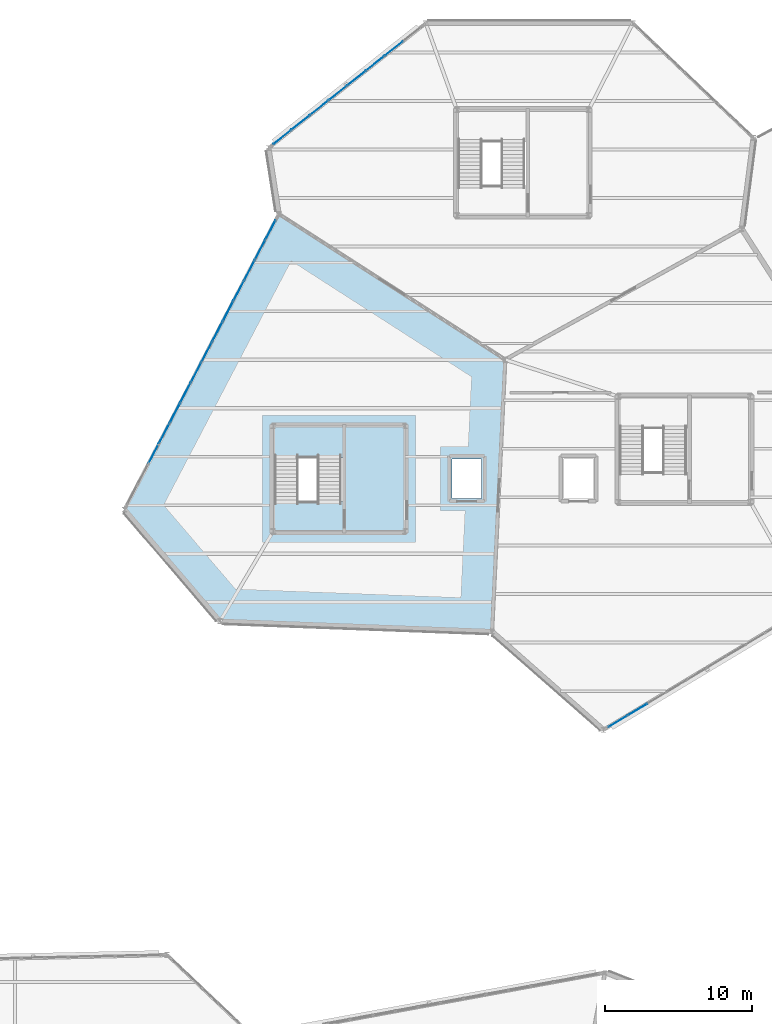
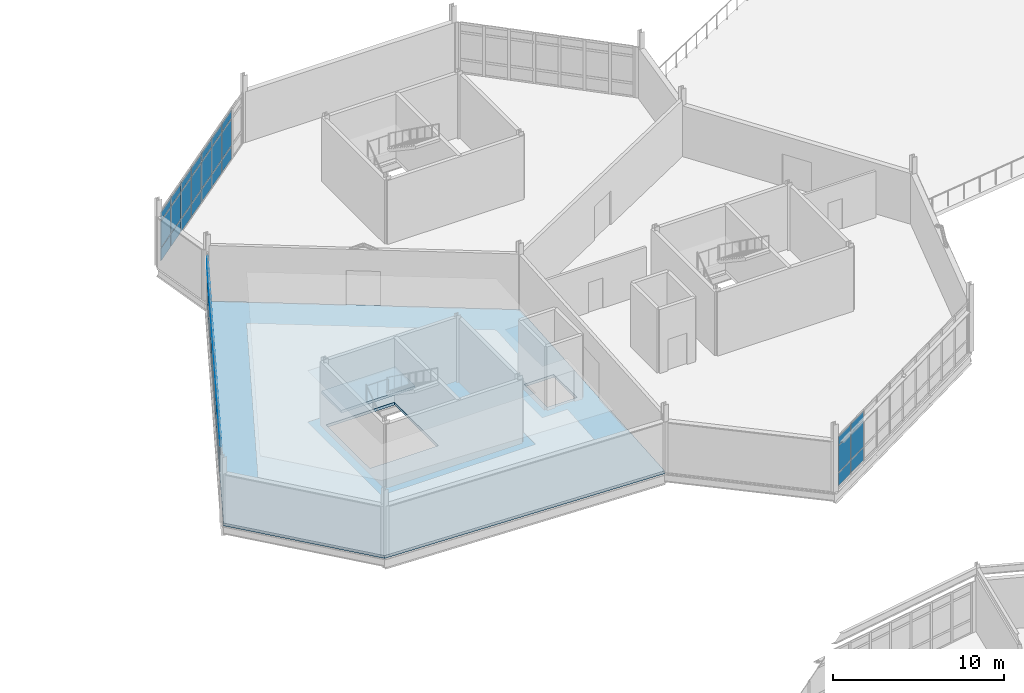
# One storey, part 52 of 76: 61 plates, 2 slabs, 4 elements without a shape of their own.
"""IFC4 building model written with IfcOpenShell, lengths in metres."""

from ifc_helpers import new_model, si_unit, direction, frame, origin, origin_2d, place, context, subcontext, project, spatial, polyline, rectangle, outline, extrude, material, layer, layer_set, type_object, element, aggregate, save


model = new_model("IFC4")

# Units and contexts
model_context = context("Model", 3, precision=1e-05, world=origin(), true_north=direction((0.0, 1.0)))
body_context = subcontext(model_context, "Body", "Model", "MODEL_VIEW")
ifc_project = project(units=[si_unit("LENGTHUNIT", "METRE"), si_unit("AREAUNIT", "SQUARE_METRE"), si_unit("VOLUMEUNIT", "CUBIC_METRE"), si_unit("PLANEANGLEUNIT", "RADIAN"), si_unit("MASSUNIT", "GRAM", prefix="KILO")], contexts=[model_context])

# Site, building, storey
site_placement = place(None, origin())
site = spatial("IfcSite", under=ifc_project, at=site_placement, CompositionType="ELEMENT")
building_placement = place(site_placement, origin())
building = spatial("IfcBuilding", under=site, at=building_placement, Name="Tameran Prism Museum", CompositionType="ELEMENT")
storey_placement = place(building_placement, frame((0.0, 0.0, 15.0)))
storey = spatial("IfcBuildingStorey", under=building, at=storey_placement, Name="L03", CompositionType="ELEMENT", Elevation=15.0)

# Curtain wall, plates
ifc_material_1 = material(Name="Anodised Aluminium 6063-T6 and Cyclone Solar Glass", Category="aluminium")
curtain_wall_type_1 = type_object("IfcCurtainWallType", Name="CW-FAC-1563x362", PredefinedType="USERDEFINED", material=ifc_material_1)
curtain_wall_1_placement = place(storey_placement, origin())
curtain_wall_1 = element("IfcCurtainWall", 1, at=curtain_wall_1_placement, inside=storey, type_object=curtain_wall_type_1, Name="Unitised Curtain Wall CW-131", ObjectType="UNITISED CURTAIN WALL", PredefinedType="USERDEFINED")
ifc_material_2 = material(Name="Low-E Laminated Solar Glass", Category="glass")
ifc_layer_1 = layer(ifc_material_2, 0.028076171875)
ifc_layer_set_1 = layer_set([ifc_layer_1])
plate_type_1 = type_object("IfcPlateType", Name="CW-PNL-G28", PredefinedType="CURTAIN_PANEL", material=ifc_layer_set_1)
plate_1_placement = place(storey_placement, frame((127.81005859375, 65.285888671875, 0.06494140625), z_axis=(0.0, 0.0, 1.0), x_axis=(-0.857492925713, -0.514495755426, 0.0)))
plate_1 = element("IfcPlate", 2, at=plate_1_placement, type_object=plate_type_1, Name="CW-131 panel 9.1", PredefinedType="CURTAIN_PANEL", context=body_context, shape_type="SweptSolid", body=[
    extrude(rectangle(XDim=1.497802734375, YDim=0.028076171875, at=origin_2d()), origin(), (0.0, 0.0, 1.0), 0.902587890625),
])
plate_2_placement = place(storey_placement, frame((127.81005859375, 65.285888671875, 1.032470703125), z_axis=(0.0, 0.0, 1.0), x_axis=(-0.857492925713, -0.514495755426, 0.0)))
plate_2 = element("IfcPlate", 3, at=plate_2_placement, type_object=plate_type_1, Name="CW-131 panel 9.2", PredefinedType="CURTAIN_PANEL", context=body_context, shape_type="SweptSolid", body=[
    extrude(rectangle(XDim=1.497802734375, YDim=0.028076171875, at=origin_2d()), origin(), (0.0, 0.0, 1.0), 1.875),
])
plate_3_placement = place(storey_placement, frame((127.81005859375, 65.285888671875, 2.972412109375), z_axis=(0.0, 0.0, 1.0), x_axis=(-0.857492925713, -0.514495755426, 0.0)))
plate_3 = element("IfcPlate", 4, at=plate_3_placement, type_object=plate_type_1, Name="CW-131 panel 9.3", PredefinedType="CURTAIN_PANEL", context=body_context, shape_type="SweptSolid", body=[
    extrude(rectangle(XDim=1.497802734375, YDim=0.028076171875, at=origin_2d()), origin(), (0.0, 0.0, 1.0), 0.58251953125),
])
plate_4_placement = place(storey_placement, frame((126.48388671875, 64.490478515625, 0.06494140625), z_axis=(0.0, 0.0, 1.0), x_axis=(-0.857492925713, -0.514495755426, 0.0)))
plate_4 = element("IfcPlate", 5, at=plate_4_placement, type_object=plate_type_1, Name="CW-131 panel 10.1", PredefinedType="CURTAIN_PANEL", context=body_context, shape_type="SweptSolid", body=[
    extrude(rectangle(XDim=1.465087890625, YDim=0.028076171875, at=origin_2d()), origin(), (0.0, 0.0, 1.0), 0.902587890625),
])
plate_5_placement = place(storey_placement, frame((126.48388671875, 64.490478515625, 1.032470703125), z_axis=(0.0, 0.0, 1.0), x_axis=(-0.857492925713, -0.514495755426, 0.0)))
plate_5 = element("IfcPlate", 6, at=plate_5_placement, type_object=plate_type_1, Name="CW-131 panel 10.2", PredefinedType="CURTAIN_PANEL", context=body_context, shape_type="SweptSolid", body=[
    extrude(rectangle(XDim=1.465087890625, YDim=0.028076171875, at=origin_2d()), origin(), (0.0, 0.0, 1.0), 1.875),
])
plate_6_placement = place(storey_placement, frame((126.48388671875, 64.490478515625, 2.972412109375), z_axis=(0.0, 0.0, 1.0), x_axis=(-0.857492925713, -0.514495755426, 0.0)))
plate_6 = element("IfcPlate", 7, at=plate_6_placement, type_object=plate_type_1, Name="CW-131 panel 10.3", PredefinedType="CURTAIN_PANEL", context=body_context, shape_type="SweptSolid", body=[
    extrude(rectangle(XDim=1.465087890625, YDim=0.028076171875, at=origin_2d()), origin(), (0.0, 0.0, 1.0), 0.58251953125),
])
aggregate(curtain_wall_1, [plate_1, plate_2, plate_3, plate_4, plate_5, plate_6])

ifc_material_3 = material(Name="Anodised Aluminium 6063-T6 and Cyclone Solar Glass", Category="aluminium")
curtain_wall_type_2 = type_object("IfcCurtainWallType", Name="CW-FAC-2192x362", PredefinedType="USERDEFINED", material=ifc_material_3)
curtain_wall_2_placement = place(storey_placement, origin())
curtain_wall_2 = element("IfcCurtainWall", 8, at=curtain_wall_2_placement, inside=storey, type_object=curtain_wall_type_2, Name="Unitised Curtain Wall CW-130", ObjectType="UNITISED CURTAIN WALL", PredefinedType="USERDEFINED")
ifc_material_4 = material(Name="Cyclone Laminated Solar Glass", Category="glass")
ifc_layer_2 = layer(ifc_material_4, 0.031982421875)
ifc_layer_set_2 = layer_set([ifc_layer_2])
plate_type_2 = type_object("IfcPlateType", Name="CW-PNL-G32", PredefinedType="CURTAIN_PANEL", material=ifc_layer_set_2)
plate_7_placement = place(storey_placement, frame((94.8740234375, 82.67919921875, 2.97998046875), z_axis=(0.0, 0.0, 1.0), x_axis=(0.463002540551, 0.886356952612, 0.0)))
plate_7 = element("IfcPlate", 9, at=plate_7_placement, type_object=plate_type_2, Name="CW-130 panel 3.3", PredefinedType="CURTAIN_PANEL", context=body_context, shape_type="SweptSolid", body=[
    extrude(rectangle(XDim=1.485595703125, YDim=0.031982421875, at=origin_2d()), origin(), (0.0, 0.0, 1.0), 0.56005859375),
])
plate_8_placement = place(storey_placement, frame((95.59912109375, 84.066650390625, 0.080078125), z_axis=(0.0, 0.0, 1.0), x_axis=(0.463002540551, 0.886356952612, 0.0)))
plate_8 = element("IfcPlate", 10, at=plate_8_placement, type_object=plate_type_2, Name="CW-130 panel 4.1", PredefinedType="CURTAIN_PANEL", context=body_context, shape_type="SweptSolid", body=[
    extrude(rectangle(XDim=1.485595703125, YDim=0.031982421875, at=origin_2d()), origin(), (0.0, 0.0, 1.0), 0.8798828125),
])
plate_9_placement = place(storey_placement, frame((95.59912109375, 84.066650390625, 1.0400390625), z_axis=(0.0, 0.0, 1.0), x_axis=(0.463002540551, 0.886356952612, 0.0)))
plate_9 = element("IfcPlate", 11, at=plate_9_placement, type_object=plate_type_2, Name="CW-130 panel 4.2", PredefinedType="CURTAIN_PANEL", context=body_context, shape_type="SweptSolid", body=[
    extrude(rectangle(XDim=1.485595703125, YDim=0.031982421875, at=origin_2d()), origin(), (0.0, 0.0, 1.0), 1.860107421875),
])
plate_10_placement = place(storey_placement, frame((95.59912109375, 84.066650390625, 2.97998046875), z_axis=(0.0, 0.0, 1.0), x_axis=(0.463002540551, 0.886356952612, 0.0)))
plate_10 = element("IfcPlate", 12, at=plate_10_placement, type_object=plate_type_2, Name="CW-130 panel 4.3", PredefinedType="CURTAIN_PANEL", context=body_context, shape_type="SweptSolid", body=[
    extrude(rectangle(XDim=1.485595703125, YDim=0.031982421875, at=origin_2d()), origin(), (0.0, 0.0, 1.0), 0.56005859375),
])
plate_11_placement = place(storey_placement, frame((96.323974609375, 85.454345703125, 0.080078125), z_axis=(0.0, 0.0, 1.0), x_axis=(0.463002540551, 0.886356952612, 0.0)))
plate_11 = element("IfcPlate", 13, at=plate_11_placement, type_object=plate_type_2, Name="CW-130 panel 5.1", PredefinedType="CURTAIN_PANEL", context=body_context, shape_type="SweptSolid", body=[
    extrude(rectangle(XDim=1.485595703125, YDim=0.031982421875, at=origin_2d()), origin(), (0.0, 0.0, 1.0), 0.8798828125),
])
plate_12_placement = place(storey_placement, frame((96.323974609375, 85.454345703125, 1.0400390625), z_axis=(0.0, 0.0, 1.0), x_axis=(0.463002540551, 0.886356952612, 0.0)))
plate_12 = element("IfcPlate", 14, at=plate_12_placement, type_object=plate_type_2, Name="CW-130 panel 5.2", PredefinedType="CURTAIN_PANEL", context=body_context, shape_type="SweptSolid", body=[
    extrude(rectangle(XDim=1.485595703125, YDim=0.031982421875, at=origin_2d()), origin(), (0.0, 0.0, 1.0), 1.860107421875),
])
plate_13_placement = place(storey_placement, frame((96.323974609375, 85.454345703125, 2.97998046875), z_axis=(0.0, 0.0, 1.0), x_axis=(0.463002540551, 0.886356952612, 0.0)))
plate_13 = element("IfcPlate", 15, at=plate_13_placement, type_object=plate_type_2, Name="CW-130 panel 5.3", PredefinedType="CURTAIN_PANEL", context=body_context, shape_type="SweptSolid", body=[
    extrude(rectangle(XDim=1.485595703125, YDim=0.031982421875, at=origin_2d()), origin(), (0.0, 0.0, 1.0), 0.56005859375),
])
plate_14_placement = place(storey_placement, frame((97.048828125, 86.842041015625, 0.080078125), z_axis=(0.0, 0.0, 1.0), x_axis=(0.463002540551, 0.886356952612, 0.0)))
plate_14 = element("IfcPlate", 16, at=plate_14_placement, type_object=plate_type_2, Name="CW-130 panel 6.1", PredefinedType="CURTAIN_PANEL", context=body_context, shape_type="SweptSolid", body=[
    extrude(rectangle(XDim=1.485595703125, YDim=0.031982421875, at=origin_2d()), origin(), (0.0, 0.0, 1.0), 0.8798828125),
])
plate_15_placement = place(storey_placement, frame((97.048828125, 86.842041015625, 1.0400390625), z_axis=(0.0, 0.0, 1.0), x_axis=(0.463002540551, 0.886356952612, 0.0)))
plate_15 = element("IfcPlate", 17, at=plate_15_placement, type_object=plate_type_2, Name="CW-130 panel 6.2", PredefinedType="CURTAIN_PANEL", context=body_context, shape_type="SweptSolid", body=[
    extrude(rectangle(XDim=1.485595703125, YDim=0.031982421875, at=origin_2d()), origin(), (0.0, 0.0, 1.0), 1.860107421875),
])
plate_16_placement = place(storey_placement, frame((97.048828125, 86.842041015625, 2.97998046875), z_axis=(0.0, 0.0, 1.0), x_axis=(0.463002540551, 0.886356952612, 0.0)))
plate_16 = element("IfcPlate", 18, at=plate_16_placement, type_object=plate_type_2, Name="CW-130 panel 6.3", PredefinedType="CURTAIN_PANEL", context=body_context, shape_type="SweptSolid", body=[
    extrude(rectangle(XDim=1.485595703125, YDim=0.031982421875, at=origin_2d()), origin(), (0.0, 0.0, 1.0), 0.56005859375),
])
plate_17_placement = place(storey_placement, frame((97.773681640625, 88.229736328125, 0.080078125), z_axis=(0.0, 0.0, 1.0), x_axis=(0.463002540551, 0.886356952612, 0.0)))
plate_17 = element("IfcPlate", 19, at=plate_17_placement, type_object=plate_type_2, Name="CW-130 panel 7.1", PredefinedType="CURTAIN_PANEL", context=body_context, shape_type="SweptSolid", body=[
    extrude(rectangle(XDim=1.485595703125, YDim=0.031982421875, at=origin_2d()), origin(), (0.0, 0.0, 1.0), 0.8798828125),
])
plate_18_placement = place(storey_placement, frame((97.773681640625, 88.229736328125, 1.0400390625), z_axis=(0.0, 0.0, 1.0), x_axis=(0.463002540551, 0.886356952612, 0.0)))
plate_18 = element("IfcPlate", 20, at=plate_18_placement, type_object=plate_type_2, Name="CW-130 panel 7.2", PredefinedType="CURTAIN_PANEL", context=body_context, shape_type="SweptSolid", body=[
    extrude(rectangle(XDim=1.485595703125, YDim=0.031982421875, at=origin_2d()), origin(), (0.0, 0.0, 1.0), 1.860107421875),
])
plate_19_placement = place(storey_placement, frame((97.773681640625, 88.229736328125, 2.97998046875), z_axis=(0.0, 0.0, 1.0), x_axis=(0.463002540551, 0.886356952612, 0.0)))
plate_19 = element("IfcPlate", 21, at=plate_19_placement, type_object=plate_type_2, Name="CW-130 panel 7.3", PredefinedType="CURTAIN_PANEL", context=body_context, shape_type="SweptSolid", body=[
    extrude(rectangle(XDim=1.485595703125, YDim=0.031982421875, at=origin_2d()), origin(), (0.0, 0.0, 1.0), 0.56005859375),
])
plate_20_placement = place(storey_placement, frame((98.49853515625, 89.617431640625, 0.080078125), z_axis=(0.0, 0.0, 1.0), x_axis=(0.463002540551, 0.886356952612, 0.0)))
plate_20 = element("IfcPlate", 22, at=plate_20_placement, type_object=plate_type_2, Name="CW-130 panel 8.1", PredefinedType="CURTAIN_PANEL", context=body_context, shape_type="SweptSolid", body=[
    extrude(rectangle(XDim=1.485595703125, YDim=0.031982421875, at=origin_2d()), origin(), (0.0, 0.0, 1.0), 0.8798828125),
])
plate_21_placement = place(storey_placement, frame((98.49853515625, 89.617431640625, 1.0400390625), z_axis=(0.0, 0.0, 1.0), x_axis=(0.463002540551, 0.886356952612, 0.0)))
plate_21 = element("IfcPlate", 23, at=plate_21_placement, type_object=plate_type_2, Name="CW-130 panel 8.2", PredefinedType="CURTAIN_PANEL", context=body_context, shape_type="SweptSolid", body=[
    extrude(rectangle(XDim=1.485595703125, YDim=0.031982421875, at=origin_2d()), origin(), (0.0, 0.0, 1.0), 1.860107421875),
])
plate_22_placement = place(storey_placement, frame((98.49853515625, 89.617431640625, 2.97998046875), z_axis=(0.0, 0.0, 1.0), x_axis=(0.463002540551, 0.886356952612, 0.0)))
plate_22 = element("IfcPlate", 24, at=plate_22_placement, type_object=plate_type_2, Name="CW-130 panel 8.3", PredefinedType="CURTAIN_PANEL", context=body_context, shape_type="SweptSolid", body=[
    extrude(rectangle(XDim=1.485595703125, YDim=0.031982421875, at=origin_2d()), origin(), (0.0, 0.0, 1.0), 0.56005859375),
])
plate_23_placement = place(storey_placement, frame((99.223388671875, 91.0048828125, 0.080078125), z_axis=(0.0, 0.0, 1.0), x_axis=(0.463002540551, 0.886356952612, 0.0)))
plate_23 = element("IfcPlate", 25, at=plate_23_placement, type_object=plate_type_2, Name="CW-130 panel 9.1", PredefinedType="CURTAIN_PANEL", context=body_context, shape_type="SweptSolid", body=[
    extrude(rectangle(XDim=1.485595703125, YDim=0.031982421875, at=origin_2d()), origin(), (0.0, 0.0, 1.0), 0.8798828125),
])
plate_24_placement = place(storey_placement, frame((99.223388671875, 91.0048828125, 1.0400390625), z_axis=(0.0, 0.0, 1.0), x_axis=(0.463002540551, 0.886356952612, 0.0)))
plate_24 = element("IfcPlate", 26, at=plate_24_placement, type_object=plate_type_2, Name="CW-130 panel 9.2", PredefinedType="CURTAIN_PANEL", context=body_context, shape_type="SweptSolid", body=[
    extrude(rectangle(XDim=1.485595703125, YDim=0.031982421875, at=origin_2d()), origin(), (0.0, 0.0, 1.0), 1.860107421875),
])
plate_25_placement = place(storey_placement, frame((99.223388671875, 91.0048828125, 2.97998046875), z_axis=(0.0, 0.0, 1.0), x_axis=(0.463002540551, 0.886356952612, 0.0)))
plate_25 = element("IfcPlate", 27, at=plate_25_placement, type_object=plate_type_2, Name="CW-130 panel 9.3", PredefinedType="CURTAIN_PANEL", context=body_context, shape_type="SweptSolid", body=[
    extrude(rectangle(XDim=1.485595703125, YDim=0.031982421875, at=origin_2d()), origin(), (0.0, 0.0, 1.0), 0.56005859375),
])
plate_26_placement = place(storey_placement, frame((99.9482421875, 92.392578125, 0.080078125), z_axis=(0.0, 0.0, 1.0), x_axis=(0.463002540551, 0.886356952612, 0.0)))
plate_26 = element("IfcPlate", 28, at=plate_26_placement, type_object=plate_type_2, Name="CW-130 panel 10.1", PredefinedType="CURTAIN_PANEL", context=body_context, shape_type="SweptSolid", body=[
    extrude(rectangle(XDim=1.485595703125, YDim=0.031982421875, at=origin_2d()), origin(), (0.0, 0.0, 1.0), 0.8798828125),
])
plate_27_placement = place(storey_placement, frame((99.9482421875, 92.392578125, 1.0400390625), z_axis=(0.0, 0.0, 1.0), x_axis=(0.463002540551, 0.886356952612, 0.0)))
plate_27 = element("IfcPlate", 29, at=plate_27_placement, type_object=plate_type_2, Name="CW-130 panel 10.2", PredefinedType="CURTAIN_PANEL", context=body_context, shape_type="SweptSolid", body=[
    extrude(rectangle(XDim=1.485595703125, YDim=0.031982421875, at=origin_2d()), origin(), (0.0, 0.0, 1.0), 1.860107421875),
])
plate_28_placement = place(storey_placement, frame((99.9482421875, 92.392578125, 2.97998046875), z_axis=(0.0, 0.0, 1.0), x_axis=(0.463002540551, 0.886356952612, 0.0)))
plate_28 = element("IfcPlate", 30, at=plate_28_placement, type_object=plate_type_2, Name="CW-130 panel 10.3", PredefinedType="CURTAIN_PANEL", context=body_context, shape_type="SweptSolid", body=[
    extrude(rectangle(XDim=1.485595703125, YDim=0.031982421875, at=origin_2d()), origin(), (0.0, 0.0, 1.0), 0.56005859375),
])
plate_29_placement = place(storey_placement, frame((100.673095703125, 93.7802734375, 0.080078125), z_axis=(0.0, 0.0, 1.0), x_axis=(0.463002540551, 0.886356952612, 0.0)))
plate_29 = element("IfcPlate", 31, at=plate_29_placement, type_object=plate_type_2, Name="CW-130 panel 11.1", PredefinedType="CURTAIN_PANEL", context=body_context, shape_type="SweptSolid", body=[
    extrude(rectangle(XDim=1.485595703125, YDim=0.031982421875, at=origin_2d()), origin(), (0.0, 0.0, 1.0), 0.8798828125),
])
plate_30_placement = place(storey_placement, frame((100.673095703125, 93.7802734375, 1.0400390625), z_axis=(0.0, 0.0, 1.0), x_axis=(0.463002540551, 0.886356952612, 0.0)))
plate_30 = element("IfcPlate", 32, at=plate_30_placement, type_object=plate_type_2, Name="CW-130 panel 11.2", PredefinedType="CURTAIN_PANEL", context=body_context, shape_type="SweptSolid", body=[
    extrude(rectangle(XDim=1.485595703125, YDim=0.031982421875, at=origin_2d()), origin(), (0.0, 0.0, 1.0), 1.860107421875),
])
plate_31_placement = place(storey_placement, frame((100.673095703125, 93.7802734375, 2.97998046875), z_axis=(0.0, 0.0, 1.0), x_axis=(0.463002540551, 0.886356952612, 0.0)))
plate_31 = element("IfcPlate", 33, at=plate_31_placement, type_object=plate_type_2, Name="CW-130 panel 11.3", PredefinedType="CURTAIN_PANEL", context=body_context, shape_type="SweptSolid", body=[
    extrude(rectangle(XDim=1.485595703125, YDim=0.031982421875, at=origin_2d()), origin(), (0.0, 0.0, 1.0), 0.56005859375),
])
plate_32_placement = place(storey_placement, frame((101.39794921875, 95.16796875, 0.080078125), z_axis=(0.0, 0.0, 1.0), x_axis=(0.463002540551, 0.886356952612, 0.0)))
plate_32 = element("IfcPlate", 34, at=plate_32_placement, type_object=plate_type_2, Name="CW-130 panel 12.1", PredefinedType="CURTAIN_PANEL", context=body_context, shape_type="SweptSolid", body=[
    extrude(rectangle(XDim=1.485595703125, YDim=0.031982421875, at=origin_2d()), origin(), (0.0, 0.0, 1.0), 0.8798828125),
])
plate_33_placement = place(storey_placement, frame((101.39794921875, 95.16796875, 1.0400390625), z_axis=(0.0, 0.0, 1.0), x_axis=(0.463002540551, 0.886356952612, 0.0)))
plate_33 = element("IfcPlate", 35, at=plate_33_placement, type_object=plate_type_2, Name="CW-130 panel 12.2", PredefinedType="CURTAIN_PANEL", context=body_context, shape_type="SweptSolid", body=[
    extrude(rectangle(XDim=1.485595703125, YDim=0.031982421875, at=origin_2d()), origin(), (0.0, 0.0, 1.0), 1.860107421875),
])
plate_34_placement = place(storey_placement, frame((101.39794921875, 95.16796875, 2.97998046875), z_axis=(0.0, 0.0, 1.0), x_axis=(0.463002540551, 0.886356952612, 0.0)))
plate_34 = element("IfcPlate", 36, at=plate_34_placement, type_object=plate_type_2, Name="CW-130 panel 12.3", PredefinedType="CURTAIN_PANEL", context=body_context, shape_type="SweptSolid", body=[
    extrude(rectangle(XDim=1.485595703125, YDim=0.031982421875, at=origin_2d()), origin(), (0.0, 0.0, 1.0), 0.56005859375),
])
plate_35_placement = place(storey_placement, frame((102.122802734375, 96.555419921875, 0.080078125), z_axis=(0.0, 0.0, 1.0), x_axis=(0.463002540551, 0.886356952612, 0.0)))
plate_35 = element("IfcPlate", 37, at=plate_35_placement, type_object=plate_type_2, Name="CW-130 panel 13.1", PredefinedType="CURTAIN_PANEL", context=body_context, shape_type="SweptSolid", body=[
    extrude(rectangle(XDim=1.485595703125, YDim=0.031982421875, at=origin_2d()), origin(), (0.0, 0.0, 1.0), 0.8798828125),
])
plate_36_placement = place(storey_placement, frame((102.122802734375, 96.555419921875, 1.0400390625), z_axis=(0.0, 0.0, 1.0), x_axis=(0.463002540551, 0.886356952612, 0.0)))
plate_36 = element("IfcPlate", 38, at=plate_36_placement, type_object=plate_type_2, Name="CW-130 panel 13.2", PredefinedType="CURTAIN_PANEL", context=body_context, shape_type="SweptSolid", body=[
    extrude(rectangle(XDim=1.485595703125, YDim=0.031982421875, at=origin_2d()), origin(), (0.0, 0.0, 1.0), 1.860107421875),
])
plate_37_placement = place(storey_placement, frame((102.122802734375, 96.555419921875, 2.97998046875), z_axis=(0.0, 0.0, 1.0), x_axis=(0.463002540551, 0.886356952612, 0.0)))
plate_37 = element("IfcPlate", 39, at=plate_37_placement, type_object=plate_type_2, Name="CW-130 panel 13.3", PredefinedType="CURTAIN_PANEL", context=body_context, shape_type="SweptSolid", body=[
    extrude(rectangle(XDim=1.485595703125, YDim=0.031982421875, at=origin_2d()), origin(), (0.0, 0.0, 1.0), 0.56005859375),
])
plate_38_placement = place(storey_placement, frame((102.83837890625, 97.925537109375, 0.080078125), z_axis=(0.0, 0.0, 1.0), x_axis=(0.463002540551, 0.886356952612, 0.0)))
plate_38 = element("IfcPlate", 40, at=plate_38_placement, type_object=plate_type_2, Name="CW-130 panel 14.1", PredefinedType="CURTAIN_PANEL", context=body_context, shape_type="SweptSolid", body=[
    extrude(rectangle(XDim=1.445556640625, YDim=0.031982421875, at=origin_2d()), origin(), (0.0, 0.0, 1.0), 0.8798828125),
])
plate_39_placement = place(storey_placement, frame((102.83837890625, 97.925537109375, 1.0400390625), z_axis=(0.0, 0.0, 1.0), x_axis=(0.463002540551, 0.886356952612, 0.0)))
plate_39 = element("IfcPlate", 41, at=plate_39_placement, type_object=plate_type_2, Name="CW-130 panel 14.2", PredefinedType="CURTAIN_PANEL", context=body_context, shape_type="SweptSolid", body=[
    extrude(rectangle(XDim=1.445556640625, YDim=0.031982421875, at=origin_2d()), origin(), (0.0, 0.0, 1.0), 1.860107421875),
])
plate_40_placement = place(storey_placement, frame((102.83837890625, 97.925537109375, 2.97998046875), z_axis=(0.0, 0.0, 1.0), x_axis=(0.463002540551, 0.886356952612, 0.0)))
plate_40 = element("IfcPlate", 42, at=plate_40_placement, type_object=plate_type_2, Name="CW-130 panel 14.3", PredefinedType="CURTAIN_PANEL", context=body_context, shape_type="SweptSolid", body=[
    extrude(rectangle(XDim=1.445556640625, YDim=0.031982421875, at=origin_2d()), origin(), (0.0, 0.0, 1.0), 0.56005859375),
])
aggregate(curtain_wall_2, [plate_7, plate_8, plate_9, plate_10, plate_11, plate_12, plate_13, plate_14, plate_15, plate_16, plate_17, plate_18, plate_19, plate_20, plate_21, plate_22, plate_23, plate_24, plate_25, plate_26, plate_27, plate_28, plate_29, plate_30, plate_31, plate_32, plate_33, plate_34, plate_35, plate_36, plate_37, plate_38, plate_39, plate_40])

ifc_material_5 = material(Name="Anodised Aluminium 6063-T6 and Cyclone Solar Glass", Category="aluminium")
curtain_wall_type_3 = type_object("IfcCurtainWallType", Name="CW-FAC-1296x362", PredefinedType="USERDEFINED", material=ifc_material_5)
curtain_wall_3_placement = place(storey_placement, origin())
curtain_wall_3 = element("IfcCurtainWall", 43, at=curtain_wall_3_placement, inside=storey, type_object=curtain_wall_type_3, Name="Unitised Curtain Wall CW-133", ObjectType="UNITISED CURTAIN WALL", PredefinedType="USERDEFINED")
plate_41_placement = place(storey_placement, frame((103.623291015625, 104.233642578125, 0.0751953125), z_axis=(0.0, 0.0, 1.0), x_axis=(0.783031296178, 0.621982306183, 0.0)))
plate_41 = element("IfcPlate", 44, at=plate_41_placement, type_object=plate_type_2, Name="CW-133 panel 1.1", PredefinedType="CURTAIN_PANEL", context=body_context, shape_type="SweptSolid", body=[
    extrude(rectangle(XDim=1.508056640625, YDim=0.031982421875, at=origin_2d()), origin(), (0.0, 0.0, 1.0), 0.887451171875),
])
plate_42_placement = place(storey_placement, frame((103.623291015625, 104.233642578125, 1.03759765625), z_axis=(0.0, 0.0, 1.0), x_axis=(0.783031296178, 0.621982306183, 0.0)))
plate_42 = element("IfcPlate", 45, at=plate_42_placement, type_object=plate_type_2, Name="CW-133 panel 1.2", PredefinedType="CURTAIN_PANEL", context=body_context, shape_type="SweptSolid", body=[
    extrude(rectangle(XDim=1.508056640625, YDim=0.031982421875, at=origin_2d()), origin(), (0.0, 0.0, 1.0), 1.864990234375),
])
plate_43_placement = place(storey_placement, frame((103.623291015625, 104.233642578125, 2.9775390625), z_axis=(0.0, 0.0, 1.0), x_axis=(0.783031296178, 0.621982306183, 0.0)))
plate_43 = element("IfcPlate", 46, at=plate_43_placement, type_object=plate_type_2, Name="CW-133 panel 1.3", PredefinedType="CURTAIN_PANEL", context=body_context, shape_type="SweptSolid", body=[
    extrude(rectangle(XDim=1.508056640625, YDim=0.031982421875, at=origin_2d()), origin(), (0.0, 0.0, 1.0), 0.5673828125),
])
plate_44_placement = place(storey_placement, frame((104.87744140625, 105.22998046875, 0.0751953125), z_axis=(0.0, 0.0, 1.0), x_axis=(0.783031296178, 0.621982306183, 0.0)))
plate_44 = element("IfcPlate", 47, at=plate_44_placement, type_object=plate_type_2, Name="CW-133 panel 2.1", PredefinedType="CURTAIN_PANEL", context=body_context, shape_type="SweptSolid", body=[
    extrude(rectangle(XDim=1.545654296875, YDim=0.031982421875, at=origin_2d()), origin(), (0.0, 0.0, 1.0), 0.887451171875),
])
plate_45_placement = place(storey_placement, frame((104.87744140625, 105.22998046875, 1.03759765625), z_axis=(0.0, 0.0, 1.0), x_axis=(0.783031296178, 0.621982306183, 0.0)))
plate_45 = element("IfcPlate", 48, at=plate_45_placement, type_object=plate_type_2, Name="CW-133 panel 2.2", PredefinedType="CURTAIN_PANEL", context=body_context, shape_type="SweptSolid", body=[
    extrude(rectangle(XDim=1.545654296875, YDim=0.031982421875, at=origin_2d()), origin(), (0.0, 0.0, 1.0), 1.864990234375),
])
plate_46_placement = place(storey_placement, frame((104.87744140625, 105.22998046875, 2.9775390625), z_axis=(0.0, 0.0, 1.0), x_axis=(0.783031296178, 0.621982306183, 0.0)))
plate_46 = element("IfcPlate", 49, at=plate_46_placement, type_object=plate_type_2, Name="CW-133 panel 2.3", PredefinedType="CURTAIN_PANEL", context=body_context, shape_type="SweptSolid", body=[
    extrude(rectangle(XDim=1.545654296875, YDim=0.031982421875, at=origin_2d()), origin(), (0.0, 0.0, 1.0), 0.5673828125),
])
plate_47_placement = place(storey_placement, frame((106.146484375, 106.238037109375, 0.0751953125), z_axis=(0.0, 0.0, 1.0), x_axis=(0.783031296178, 0.621982306183, 0.0)))
plate_47 = element("IfcPlate", 50, at=plate_47_placement, type_object=plate_type_2, Name="CW-133 panel 3.1", PredefinedType="CURTAIN_PANEL", context=body_context, shape_type="SweptSolid", body=[
    extrude(rectangle(XDim=1.545654296875, YDim=0.031982421875, at=origin_2d()), origin(), (0.0, 0.0, 1.0), 0.887451171875),
])
plate_48_placement = place(storey_placement, frame((106.146484375, 106.238037109375, 1.03759765625), z_axis=(0.0, 0.0, 1.0), x_axis=(0.783031296178, 0.621982306183, 0.0)))
plate_48 = element("IfcPlate", 51, at=plate_48_placement, type_object=plate_type_2, Name="CW-133 panel 3.2", PredefinedType="CURTAIN_PANEL", context=body_context, shape_type="SweptSolid", body=[
    extrude(rectangle(XDim=1.545654296875, YDim=0.031982421875, at=origin_2d()), origin(), (0.0, 0.0, 1.0), 1.864990234375),
])
plate_49_placement = place(storey_placement, frame((106.146484375, 106.238037109375, 2.9775390625), z_axis=(0.0, 0.0, 1.0), x_axis=(0.783031296178, 0.621982306183, 0.0)))
plate_49 = element("IfcPlate", 52, at=plate_49_placement, type_object=plate_type_2, Name="CW-133 panel 3.3", PredefinedType="CURTAIN_PANEL", context=body_context, shape_type="SweptSolid", body=[
    extrude(rectangle(XDim=1.545654296875, YDim=0.031982421875, at=origin_2d()), origin(), (0.0, 0.0, 1.0), 0.5673828125),
])
plate_50_placement = place(storey_placement, frame((107.41552734375, 107.24609375, 0.0751953125), z_axis=(0.0, 0.0, 1.0), x_axis=(0.783031296178, 0.621982306183, 0.0)))
plate_50 = element("IfcPlate", 53, at=plate_50_placement, type_object=plate_type_2, Name="CW-133 panel 4.1", PredefinedType="CURTAIN_PANEL", context=body_context, shape_type="SweptSolid", body=[
    extrude(rectangle(XDim=1.545654296875, YDim=0.031982421875, at=origin_2d()), origin(), (0.0, 0.0, 1.0), 0.887451171875),
])
plate_51_placement = place(storey_placement, frame((107.41552734375, 107.24609375, 1.03759765625), z_axis=(0.0, 0.0, 1.0), x_axis=(0.783031296178, 0.621982306183, 0.0)))
plate_51 = element("IfcPlate", 54, at=plate_51_placement, type_object=plate_type_2, Name="CW-133 panel 4.2", PredefinedType="CURTAIN_PANEL", context=body_context, shape_type="SweptSolid", body=[
    extrude(rectangle(XDim=1.545654296875, YDim=0.031982421875, at=origin_2d()), origin(), (0.0, 0.0, 1.0), 1.864990234375),
])
plate_52_placement = place(storey_placement, frame((107.41552734375, 107.24609375, 2.9775390625), z_axis=(0.0, 0.0, 1.0), x_axis=(0.783031296178, 0.621982306183, 0.0)))
plate_52 = element("IfcPlate", 55, at=plate_52_placement, type_object=plate_type_2, Name="CW-133 panel 4.3", PredefinedType="CURTAIN_PANEL", context=body_context, shape_type="SweptSolid", body=[
    extrude(rectangle(XDim=1.545654296875, YDim=0.031982421875, at=origin_2d()), origin(), (0.0, 0.0, 1.0), 0.5673828125),
])
plate_53_placement = place(storey_placement, frame((108.6845703125, 108.25390625, 0.0751953125), z_axis=(0.0, 0.0, 1.0), x_axis=(0.783031296178, 0.621982306183, 0.0)))
plate_53 = element("IfcPlate", 56, at=plate_53_placement, type_object=plate_type_2, Name="CW-133 panel 5.1", PredefinedType="CURTAIN_PANEL", context=body_context, shape_type="SweptSolid", body=[
    extrude(rectangle(XDim=1.545654296875, YDim=0.031982421875, at=origin_2d()), origin(), (0.0, 0.0, 1.0), 0.887451171875),
])
plate_54_placement = place(storey_placement, frame((108.6845703125, 108.25390625, 1.03759765625), z_axis=(0.0, 0.0, 1.0), x_axis=(0.783031296178, 0.621982306183, 0.0)))
plate_54 = element("IfcPlate", 57, at=plate_54_placement, type_object=plate_type_2, Name="CW-133 panel 5.2", PredefinedType="CURTAIN_PANEL", context=body_context, shape_type="SweptSolid", body=[
    extrude(rectangle(XDim=1.545654296875, YDim=0.031982421875, at=origin_2d()), origin(), (0.0, 0.0, 1.0), 1.864990234375),
])
plate_55_placement = place(storey_placement, frame((108.6845703125, 108.25390625, 2.9775390625), z_axis=(0.0, 0.0, 1.0), x_axis=(0.783031296178, 0.621982306183, 0.0)))
plate_55 = element("IfcPlate", 58, at=plate_55_placement, type_object=plate_type_2, Name="CW-133 panel 5.3", PredefinedType="CURTAIN_PANEL", context=body_context, shape_type="SweptSolid", body=[
    extrude(rectangle(XDim=1.545654296875, YDim=0.031982421875, at=origin_2d()), origin(), (0.0, 0.0, 1.0), 0.5673828125),
])
plate_56_placement = place(storey_placement, frame((109.95361328125, 109.261962890625, 0.0751953125), z_axis=(0.0, 0.0, 1.0), x_axis=(0.783031296178, 0.621982306183, 0.0)))
plate_56 = element("IfcPlate", 59, at=plate_56_placement, type_object=plate_type_2, Name="CW-133 panel 6.1", PredefinedType="CURTAIN_PANEL", context=body_context, shape_type="SweptSolid", body=[
    extrude(rectangle(XDim=1.545654296875, YDim=0.031982421875, at=origin_2d()), origin(), (0.0, 0.0, 1.0), 0.887451171875),
])
plate_57_placement = place(storey_placement, frame((109.95361328125, 109.261962890625, 1.03759765625), z_axis=(0.0, 0.0, 1.0), x_axis=(0.783031296178, 0.621982306183, 0.0)))
plate_57 = element("IfcPlate", 60, at=plate_57_placement, type_object=plate_type_2, Name="CW-133 panel 6.2", PredefinedType="CURTAIN_PANEL", context=body_context, shape_type="SweptSolid", body=[
    extrude(rectangle(XDim=1.545654296875, YDim=0.031982421875, at=origin_2d()), origin(), (0.0, 0.0, 1.0), 1.864990234375),
])
plate_58_placement = place(storey_placement, frame((109.95361328125, 109.261962890625, 2.9775390625), z_axis=(0.0, 0.0, 1.0), x_axis=(0.783031296178, 0.621982306183, 0.0)))
plate_58 = element("IfcPlate", 61, at=plate_58_placement, type_object=plate_type_2, Name="CW-133 panel 6.3", PredefinedType="CURTAIN_PANEL", context=body_context, shape_type="SweptSolid", body=[
    extrude(rectangle(XDim=1.545654296875, YDim=0.031982421875, at=origin_2d()), origin(), (0.0, 0.0, 1.0), 0.5673828125),
])
plate_59_placement = place(storey_placement, frame((111.222412109375, 110.27001953125, 0.0751953125), z_axis=(0.0, 0.0, 1.0), x_axis=(0.783031296178, 0.621982306183, 0.0)))
plate_59 = element("IfcPlate", 62, at=plate_59_placement, type_object=plate_type_2, Name="CW-133 panel 7.1", PredefinedType="CURTAIN_PANEL", context=body_context, shape_type="SweptSolid", body=[
    extrude(rectangle(XDim=1.545654296875, YDim=0.031982421875, at=origin_2d()), origin(), (0.0, 0.0, 1.0), 0.887451171875),
])
plate_60_placement = place(storey_placement, frame((111.222412109375, 110.27001953125, 1.03759765625), z_axis=(0.0, 0.0, 1.0), x_axis=(0.783031296178, 0.621982306183, 0.0)))
plate_60 = element("IfcPlate", 63, at=plate_60_placement, type_object=plate_type_2, Name="CW-133 panel 7.2", PredefinedType="CURTAIN_PANEL", context=body_context, shape_type="SweptSolid", body=[
    extrude(rectangle(XDim=1.545654296875, YDim=0.031982421875, at=origin_2d()), origin(), (0.0, 0.0, 1.0), 1.864990234375),
])
plate_61_placement = place(storey_placement, frame((111.222412109375, 110.27001953125, 2.9775390625), z_axis=(0.0, 0.0, 1.0), x_axis=(0.783031296178, 0.621982306183, 0.0)))
plate_61 = element("IfcPlate", 64, at=plate_61_placement, type_object=plate_type_2, Name="CW-133 panel 7.3", PredefinedType="CURTAIN_PANEL", context=body_context, shape_type="SweptSolid", body=[
    extrude(rectangle(XDim=1.545654296875, YDim=0.031982421875, at=origin_2d()), origin(), (0.0, 0.0, 1.0), 0.5673828125),
])
aggregate(curtain_wall_3, [plate_41, plate_42, plate_43, plate_44, plate_45, plate_46, plate_47, plate_48, plate_49, plate_50, plate_51, plate_52, plate_53, plate_54, plate_55, plate_56, plate_57, plate_58, plate_59, plate_60, plate_61])

# Slab
ifc_material_6 = material(Name="Concrete N32 (32 MPa)", Category="concrete")
ifc_layer_3 = layer(ifc_material_6, 0.199951171875)
ifc_layer_set_3 = layer_set([ifc_layer_3])
slab_type_1 = type_object("IfcSlabType", Name="SL-FLR-200", PredefinedType="FLOOR", material=ifc_layer_set_3)
slab_1_placement = place(storey_placement, frame((0.0, 0.0, -0.199951171875)))
element("IfcSlab", 65, at=slab_1_placement, inside=storey, type_object=slab_type_1, Name="Floor Slab FS-P01-L03", PredefinedType="FLOOR", context=body_context, shape_type="SweptSolid", body=[
    extrude(outline(polyline([(92.89990234375, 78.89990234375), (103.39990234375, 99.0), (118.800048828125, 89.10009765625), (117.89990234375, 70.60009765625), (99.39990234375, 71.300048828125), (92.89990234375, 78.89990234375)]), holes=[polyline([(117.199951171875, 79.64990234375), (117.199951171875, 82.35009765625), (115.199951171875, 82.35009765625), (115.199951171875, 79.64990234375), (117.199951171875, 79.64990234375)]), polyline([(107.719970703125, 79.43994140625), (107.719970703125, 84.550048828125), (103.10009765625, 84.550048828125), (103.10009765625, 79.43994140625), (107.719970703125, 79.43994140625)])]), origin(), (0.0, 0.0, 1.0), 0.199951171875),
])

# Stair, slab
ifc_material_7 = material(Name="Concrete N40 (40 MPa)", Category="concrete")
stair_type = type_object("IfcStairType", Name="ST-CORE-48", PredefinedType="HALF_TURN_STAIR", material=ifc_material_7)
stair_placement = place(storey_placement, origin())
stair = element("IfcStair", 66, at=stair_placement, inside=storey, type_object=stair_type, Name="Fire-Isolated Stair ST-01-L03", PredefinedType="HALF_TURN_STAIR")
ifc_material_8 = material(Name="Concrete N40 (40 MPa)", Category="concrete")
ifc_layer_4 = layer(ifc_material_8, 0.18505859375)
ifc_layer_set_4 = layer_set([ifc_layer_4])
slab_type_2 = type_object("IfcSlabType", Name="SL-LND-185", PredefinedType="LANDING", material=ifc_layer_set_4)
slab_2_placement = place(storey_placement, frame((0.0, 0.0, 2.215087890625)))
slab_2 = element("IfcSlab", 67, at=slab_2_placement, type_object=slab_type_2, Name="ST-01-L03 landing 1", PredefinedType="LANDING", context=body_context, shape_type="SweptSolid", body=[
    extrude(outline(polyline([(102.8798828125, 82.4150390625), (107.8701171875, 82.4150390625), (107.8701171875, 84.719970703125), (102.8798828125, 84.719970703125), (102.8798828125, 82.4150390625)])), origin(), (0.0, 0.0, 1.0), 0.184814453125),
])
aggregate(stair, [slab_2])

save(model, "model.ifc")
